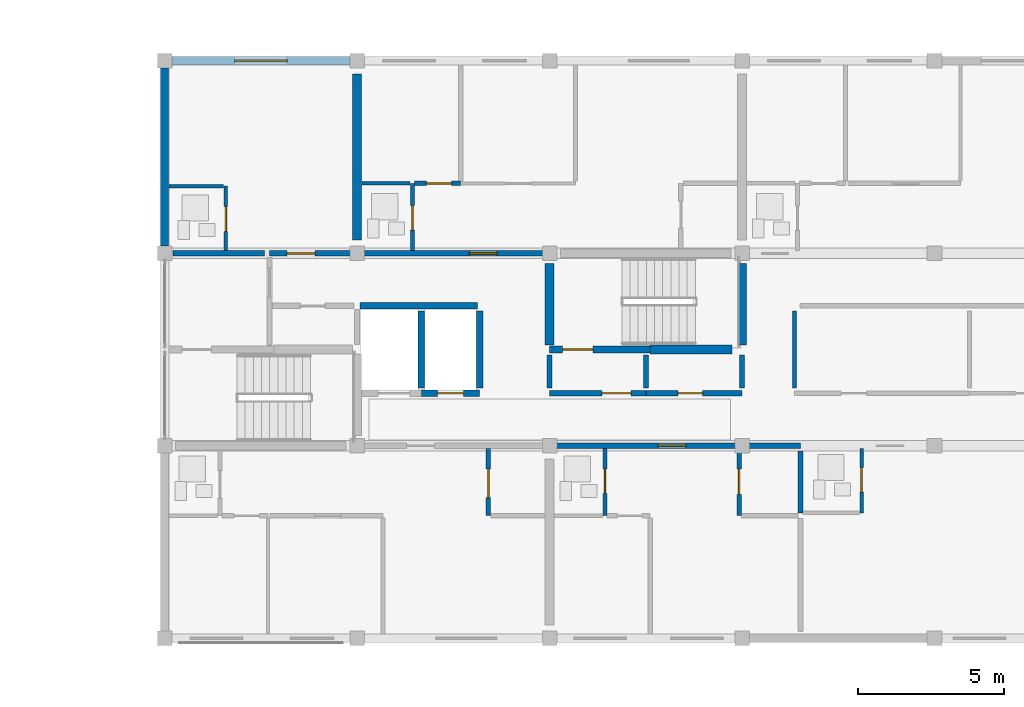
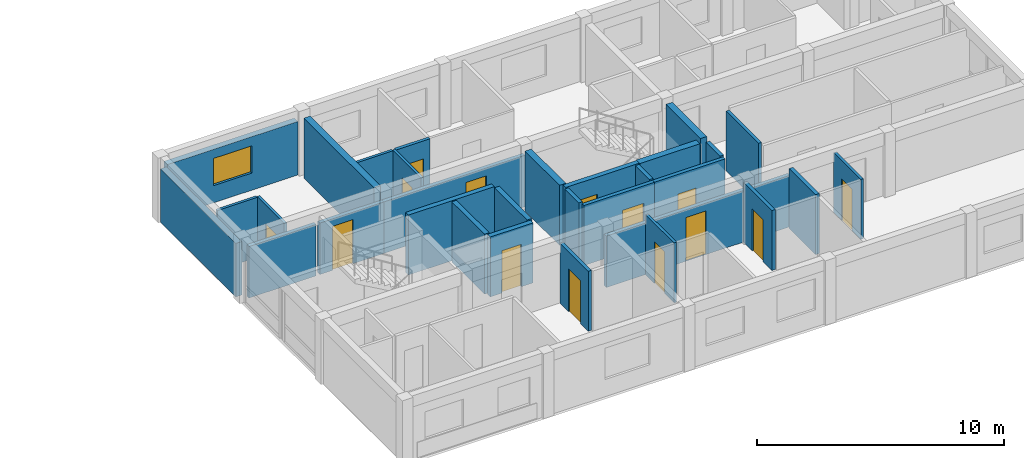
# One storey, part 35 of 46: 31 walls, 14 doors, 1 window, 15 openings.
"""IFC4 building model written with IfcOpenShell, lengths in metres."""

from ifc_helpers import new_model, si_unit, direction, frame, frame_2d, origin, place, context, subcontext, project, spatial, rectangle, extrude, material, layer, layer_set, type_object, element, fill, save


model = new_model("IFC4")

# Units and contexts
model_context = context("Model", 3, precision=1e-05, world=origin(), true_north=direction((0.0, 1.0)))
body_context = subcontext(model_context, "Body", "Model", "MODEL_VIEW")
ifc_project = project(units=[si_unit("LENGTHUNIT", "METRE"), si_unit("AREAUNIT", "SQUARE_METRE"), si_unit("VOLUMEUNIT", "CUBIC_METRE"), si_unit("PLANEANGLEUNIT", "RADIAN"), si_unit("MASSUNIT", "GRAM", prefix="KILO")], contexts=[model_context])

# Site, building, storey
site_placement = place(None, origin())
site = spatial("IfcSite", under=ifc_project, at=site_placement, CompositionType="ELEMENT")
building_placement = place(site_placement, origin())
building = spatial("IfcBuilding", under=site, at=building_placement, Name="Kernevlak Ridge Housing Community", CompositionType="ELEMENT")
storey_placement = place(building_placement, frame((0.0, 0.0, 27.60009765625)))
storey = spatial("IfcBuildingStorey", under=building, at=storey_placement, Name="L08", CompositionType="ELEMENT", Elevation=27.60009765625)

# Wall, opening, window
ifc_material_1 = material(Name="Concrete block masonry M10", Category="masonry")
ifc_layer_1 = layer(ifc_material_1, 0.280029296875, Name="Concrete block masonry M10")
ifc_layer_set_1 = layer_set([ifc_layer_1], Name="Concrete block masonry M10")
wall_type_1 = type_object("IfcWallType", Name="EW-03", PredefinedType="STANDARD", material=ifc_layer_set_1)
wall_1_placement = place(storey_placement, frame((119.64990234375, 102.39990234375, 0.0), z_axis=(0.0, 0.0, 1.0), x_axis=(1.0, 0.0, 0.0)))
wall_1 = element("IfcWall", 1, at=wall_1_placement, inside=storey, type_object=wall_type_1, Name="Exterior wall EW-03 L08 424", PredefinedType="STANDARD", context=body_context, shape_type="SweptSolid", body=[
    extrude(rectangle(XDim=6.10009765625, YDim=0.280029296875, at=frame_2d((3.050048828125, 0.0))), origin(), (0.0, 0.0, 1.0), 2.64990234375),
])
opening_1_placement = place(wall_1_placement, frame((2.14990234375, 0.0, 0.85009765625)))
opening_1 = element("IfcOpeningElement", 2, at=opening_1_placement, cuts=wall_1, Name="Opening WT-03", PredefinedType="OPENING", context=body_context, shape_type="SweptSolid", body=[
    extrude(rectangle(XDim=1.800048828125, YDim=1.35009765625, at=frame_2d((0.89990234375, 0.675048828125))), frame((0.0, 0.14990234375, 0.0), z_axis=(0.0, -1.0, 0.0), x_axis=(1.0, 0.0, 0.0)), (0.0, 0.0, 1.0), 0.300048828125),
])
ifc_material_2 = material(Name="Aluminium EN AW-6060 anodised and laminated glass", Category="aluminium")
window_type = type_object("IfcWindowType", Name="WT-03", PartitioningType="SINGLE_PANEL", PredefinedType="WINDOW", material=ifc_material_2)
window_placement = place(opening_1_placement, origin())
window = element("IfcWindow", 3, at=window_placement, inside=storey, type_object=window_type, Name="Window WT-03 L08 328", OverallHeight=1.35009765625, OverallWidth=1.800048828125, PartitioningType="SINGLE_PANEL", PredefinedType="WINDOW", context=body_context, shape_type="SweptSolid", body=[
    extrude(rectangle(XDim=1.800048828125, YDim=1.35009765625, at=frame_2d((0.89990234375, 0.675048828125))), frame((0.0, 0.030029296875, 0.0), z_axis=(0.0, -1.0, 0.0), x_axis=(1.0, 0.0, 0.0)), (0.0, 0.0, 1.0), 0.06005859375),
])
fill(opening_1, window)

# Wall
wall_2_placement = place(storey_placement, frame((119.39990234375, 96.050048828125, 0.0), z_axis=(0.0, 0.0, 1.0), x_axis=(0.0, 1.0, 0.0)))
element("IfcWall", 4, at=wall_2_placement, inside=storey, type_object=wall_type_1, Name="Exterior wall EW-03 L08 432", PredefinedType="STANDARD", context=body_context, shape_type="SweptSolid", body=[
    extrude(rectangle(XDim=6.099853515625, YDim=0.280029296875, at=frame_2d((3.0498046875, 0.0))), origin(), (0.0, 0.0, 1.0), 2.64990234375),
])

# Wall, opening, door
ifc_material_3 = material(Name="Concrete C35/45", Category="concrete")
ifc_layer_2 = layer(ifc_material_3, 0.22509765625, Name="Concrete C35/45")
ifc_layer_set_2 = layer_set([ifc_layer_2], Name="Concrete C35/45")
wall_type_2 = type_object("IfcWallType", Name="PW-01", PredefinedType="STANDARD", material=ifc_layer_set_2)
wall_3_placement = place(storey_placement, frame((128.199951171875, 91.0, 0.0), z_axis=(0.0, 0.0, 1.0), x_axis=(1.0, 0.0, 0.0)))
wall_3 = element("IfcWall", 5, at=wall_3_placement, inside=storey, type_object=wall_type_2, Name="Interior wall PW-01 WAL-INT-L08-1644", PredefinedType="STANDARD", context=body_context, shape_type="SweptSolid", body=[
    extrude(rectangle(XDim=2.0, YDim=0.22509765625, at=frame_2d((1.0, 0.0))), origin(), (0.0, 0.0, 1.0), 2.969970703125),
])
opening_2_placement = place(wall_3_placement, frame((0.550048828125, 0.0, 0.0)))
opening_2 = element("IfcOpeningElement", 6, at=opening_2_placement, cuts=wall_3, Name="Opening LD47", PredefinedType="OPENING", context=body_context, shape_type="SweptSolid", body=[
    extrude(rectangle(XDim=0.89990234375, YDim=2.10009765625, at=frame_2d((0.449951171875, 1.050048828125))), frame((0.0, 0.12255859375, 0.0), z_axis=(0.0, -1.0, 0.0), x_axis=(1.0, 0.0, 0.0)), (0.0, 0.0, 1.0), 0.2451171875),
])
ifc_material_4 = material(Name="Stainless steel EN 1.4401", Category="steel")
door_type_1 = type_object("IfcDoorType", Name="DT-LD2", OperationType="DOUBLE_DOOR_SLIDING", PredefinedType="DOOR", material=ifc_material_4)
door_1_placement = place(opening_2_placement, origin())
door_1 = element("IfcDoor", 7, at=door_1_placement, inside=storey, type_object=door_type_1, Name="Lift LF-B2 landing door LD47", OperationType="DOUBLE_DOOR_SLIDING", OverallHeight=2.10009765625, OverallWidth=0.89990234375, PredefinedType="DOOR", context=body_context, shape_type="SweptSolid", body=[
    extrude(rectangle(XDim=0.89990234375, YDim=2.10009765625, at=frame_2d((0.449951171875, 1.050048828125))), frame((0.0, 0.02490234375, 0.0), z_axis=(0.0, -1.0, 0.0), x_axis=(1.0, 0.0, 0.0)), (0.0, 0.0, 1.0), 0.050048828125),
])
fill(opening_2, door_1)

# Walls
wall_4_placement = place(storey_placement, frame((126.097412109375, 94.0, 0.0), z_axis=(0.0, 0.0, 1.0), x_axis=(1.0, 0.0, 0.0)))
element("IfcWall", 8, at=wall_4_placement, inside=storey, type_object=wall_type_2, Name="Interior wall PW-01 WAL-INT-L08-1645", PredefinedType="STANDARD", context=body_context, shape_type="SweptSolid", body=[
    extrude(rectangle(XDim=4.022705078125, YDim=0.22509765625, at=frame_2d((2.01123046875, 0.0))), origin(), (0.0, 0.0, 1.0), 2.969970703125),
])
for number, where, z_axis, x_axis, name in (
    (9, (128.199951171875, 91.179931640625, 0.0), (0.0, 0.0, 1.0), (0.0, 1.0, 0.0), "Interior wall PW-01 WAL-INT-L08-1647"),
    (10, (130.199951171875, 91.179931640625, 0.0), (0.0, 0.0, 1.0), (0.0, 1.0, 0.0), "Interior wall PW-01 WAL-INT-L08-1648"),
):
    element("IfcWall", number, at=place(storey_placement, frame(where, z_axis=z_axis, x_axis=x_axis)), inside=storey, type_object=wall_type_2, Name=name, PredefinedType="STANDARD", context=body_context, shape_type="SweptSolid", body=[
        extrude(rectangle(XDim=2.64013671875, YDim=0.22509765625, at=frame_2d((1.320068359375, 0.0))), origin(), (0.0, 0.0, 1.0), 2.969970703125),
    ])

# Wall, opening, door
wall_5_placement = place(storey_placement, frame((132.60009765625, 92.5, 0.0), z_axis=(0.0, 0.0, 1.0), x_axis=(1.0, 0.0, 0.0)))
wall_5 = element("IfcWall", 11, at=wall_5_placement, inside=storey, type_object=wall_type_2, Name="Interior wall PW-01 WAL-INT-L08-1649", PredefinedType="STANDARD", context=body_context, shape_type="SweptSolid", body=[
    extrude(rectangle(XDim=3.449951171875, YDim=0.22509765625, at=frame_2d((1.72509765625, 0.0))), origin(), (0.0, 0.0, 1.0), 2.969970703125),
])
opening_3_placement = place(wall_5_placement, frame((0.449951171875, 0.0, 0.0)))
opening_3 = element("IfcOpeningElement", 12, at=opening_3_placement, cuts=wall_5, Name="Opening D834", PredefinedType="OPENING", context=body_context, shape_type="SweptSolid", body=[
    extrude(rectangle(XDim=1.0400390625, YDim=2.1201171875, at=frame_2d((0.52001953125, 1.06005859375))), frame((0.0, 0.12255859375, 0.0), z_axis=(0.0, -1.0, 0.0), x_axis=(1.0, 0.0, 0.0)), (0.0, 0.0, 1.0), 0.2451171875),
])
ifc_material_5 = material(Name="Fire-rated sheet steel leaf", Category="steel")
door_type_2 = type_object("IfcDoorType", Name="DT-16", OperationType="NOTDEFINED", PredefinedType="DOOR", material=ifc_material_5)
door_2_placement = place(opening_3_placement, origin())
door_2 = element("IfcDoor", 13, at=door_2_placement, inside=storey, type_object=door_type_2, Name="Block B Stair 2 fire door D834", OperationType="SINGLE_SWING_RIGHT", OverallHeight=2.1201171875, OverallWidth=1.0400390625, PredefinedType="DOOR", context=body_context, shape_type="SweptSolid", body=[
    extrude(rectangle(XDim=1.0400390625, YDim=2.1201171875, at=frame_2d((0.52001953125, 1.06005859375))), frame((0.0, 0.02490234375, 0.0), z_axis=(0.0, -1.0, 0.0), x_axis=(1.0, 0.0, 0.0)), (0.0, 0.0, 1.0), 0.050048828125),
])
fill(opening_3, door_2)

ifc_layer_3 = layer(ifc_material_1, 0.175048828125, Name="Concrete block masonry M10")
ifc_layer_set_3 = layer_set([ifc_layer_3], Name="Concrete block masonry M10")
wall_type_3 = type_object("IfcWallType", Name="PW-02", PredefinedType="PARTITIONING", material=ifc_layer_set_3)
wall_6_placement = place(storey_placement, frame((132.60009765625, 91.0, 0.0), z_axis=(0.0, 0.0, 1.0), x_axis=(1.0, 0.0, 0.0)))
wall_6 = element("IfcWall", 14, at=wall_6_placement, inside=storey, type_object=wall_type_3, Name="Interior wall PW-02 WAL-INT-L08-1650", PredefinedType="PARTITIONING", context=body_context, shape_type="SweptSolid", body=[
    extrude(rectangle(XDim=3.2998046875, YDim=0.175048828125, at=frame_2d((1.64990234375, 0.0))), origin(), (0.0, 0.0, 1.0), 2.969970703125),
])
opening_4_placement = place(wall_6_placement, frame((1.800048828125, 0.0, 0.0)))
opening_4 = element("IfcOpeningElement", 15, at=opening_4_placement, cuts=wall_6, Name="Opening D835", PredefinedType="OPENING", context=body_context, shape_type="SweptSolid", body=[
    extrude(rectangle(XDim=1.0, YDim=2.10009765625, at=frame_2d((0.5, 1.050048828125))), frame((0.0, 0.097412109375, 0.0), z_axis=(0.0, -1.0, 0.0), x_axis=(1.0, 0.0, 0.0)), (0.0, 0.0, 1.0), 0.195068359375),
])
door_type_3 = type_object("IfcDoorType", Name="DT-05", OperationType="NOTDEFINED", PredefinedType="DOOR", material=ifc_material_5)
door_3_placement = place(opening_4_placement, origin())
door_3 = element("IfcDoor", 16, at=door_3_placement, inside=storey, type_object=door_type_3, Name="Block B Firefighting lobby 2 door D835", OperationType="SINGLE_SWING_LEFT", OverallHeight=2.10009765625, OverallWidth=1.0, PredefinedType="DOOR", context=body_context, shape_type="SweptSolid", body=[
    extrude(rectangle(XDim=1.0, YDim=2.10009765625, at=frame_2d((0.5, 1.050048828125))), frame((0.0, 0.02490234375, 0.0), z_axis=(0.0, -1.0, 0.0), x_axis=(1.0, 0.0, 0.0)), (0.0, 0.0, 1.0), 0.050048828125),
])
fill(opening_4, door_3)

wall_7_placement = place(storey_placement, frame((135.89990234375, 91.0, 0.0), z_axis=(0.0, 0.0, 1.0), x_axis=(1.0, 0.0, 0.0)))
wall_7 = element("IfcWall", 17, at=wall_7_placement, inside=storey, type_object=wall_type_3, Name="Interior wall PW-02 WAL-INT-L08-1651", PredefinedType="PARTITIONING", context=body_context, shape_type="SweptSolid", body=[
    extrude(rectangle(XDim=3.300048828125, YDim=0.175048828125, at=frame_2d((1.64990234375, 0.0))), origin(), (0.0, 0.0, 1.0), 2.969970703125),
])
opening_5_placement = place(wall_7_placement, frame((1.10009765625, 0.0, 0.0)))
opening_5 = element("IfcOpeningElement", 18, at=opening_5_placement, cuts=wall_7, Name="Opening D836", PredefinedType="OPENING", context=body_context, shape_type="SweptSolid", body=[
    extrude(rectangle(XDim=0.85009765625, YDim=2.0, at=frame_2d((0.425048828125, 1.0))), frame((0.0, 0.097412109375, 0.0), z_axis=(0.0, -1.0, 0.0), x_axis=(1.0, 0.0, 0.0)), (0.0, 0.0, 1.0), 0.195068359375),
])
door_type_4 = type_object("IfcDoorType", Name="DT-07", OperationType="NOTDEFINED", PredefinedType="DOOR", material=ifc_material_5)
door_4_placement = place(opening_5_placement, origin())
door_4 = element("IfcDoor", 19, at=door_4_placement, inside=storey, type_object=door_type_4, Name="Block B Cleaner store door D836", OperationType="SINGLE_SWING_RIGHT", OverallHeight=2.0, OverallWidth=0.85009765625, PredefinedType="DOOR", context=body_context, shape_type="SweptSolid", body=[
    extrude(rectangle(XDim=0.85009765625, YDim=2.0, at=frame_2d((0.425048828125, 1.0))), frame((0.0, 0.02490234375, 0.0), z_axis=(0.0, -1.0, 0.0), x_axis=(1.0, 0.0, 0.0)), (0.0, 0.0, 1.0), 0.050048828125),
])
fill(opening_5, door_4)

# Walls
for number, where, z_axis, x_axis, name in (
    (20, (132.60009765625, 91.179931640625, 0.0), (0.0, 0.0, 1.0), (0.0, 1.0, 0.0), "Interior wall PW-02 WAL-INT-L08-1652"),
    (21, (135.89990234375, 91.179931640625, 0.0), (0.0, 0.0, 1.0), (0.0, 1.0, 0.0), "Interior wall PW-02 WAL-INT-L08-1653"),
    (22, (139.199951171875, 91.179931640625, 0.0), (0.0, 0.0, 1.0), (0.0, 1.0, 0.0), "Interior wall PW-02 WAL-INT-L08-1654"),
):
    element("IfcWall", number, at=place(storey_placement, frame(where, z_axis=z_axis, x_axis=x_axis)), inside=storey, type_object=wall_type_3, Name=name, PredefinedType="PARTITIONING", context=body_context, shape_type="SweptSolid", body=[
        extrude(rectangle(XDim=1.14013671875, YDim=0.175048828125, at=frame_2d((0.570068359375, 0.0))), origin(), (0.0, 0.0, 1.0), 2.969970703125),
    ])

# Wall, opening, door
wall_8_placement = place(storey_placement, frame((132.60009765625, 89.199951171875, 0.0), z_axis=(0.0, 0.0, 1.0), x_axis=(1.0, 0.0, 0.0)))
wall_8 = element("IfcWall", 23, at=wall_8_placement, inside=storey, type_object=wall_type_3, Name="Interior wall PW-02 WAL-INT-L08-1669", PredefinedType="PARTITIONING", context=body_context, shape_type="SweptSolid", body=[
    extrude(rectangle(XDim=8.599853515625, YDim=0.175048828125, at=frame_2d((4.2998046875, 0.0))), origin(), (0.0, 0.0, 1.0), 2.5498046875),
])
opening_6_placement = place(wall_8_placement, frame((3.72509765625, 0.0, 0.0)))
opening_6 = element("IfcOpeningElement", 24, at=opening_6_placement, cuts=wall_8, Name="Opening D844", PredefinedType="OPENING", context=body_context, shape_type="SweptSolid", body=[
    extrude(rectangle(XDim=0.949951171875, YDim=2.159912109375, at=frame_2d((0.47509765625, 1.080078125))), frame((0.0, 0.097412109375, 0.0), z_axis=(0.0, -1.0, 0.0), x_axis=(1.0, 0.0, 0.0)), (0.0, 0.0, 1.0), 0.195068359375),
])
ifc_material_6 = material(Name="Hardwood timber solid-core fire leaf", Category="wood")
door_type_5 = type_object("IfcDoorType", Name="DT-02", OperationType="NOTDEFINED", PredefinedType="DOOR", material=ifc_material_6)
door_5_placement = place(opening_6_placement, origin())
door_5 = element("IfcDoor", 25, at=door_5_placement, inside=storey, type_object=door_type_5, Name="Flat B0812 entrance fire door D844", OperationType="SINGLE_SWING_RIGHT", OverallHeight=2.159912109375, OverallWidth=0.949951171875, PredefinedType="DOOR", context=body_context, shape_type="SweptSolid", body=[
    extrude(rectangle(XDim=0.949951171875, YDim=2.159912109375, at=frame_2d((0.47509765625, 1.080078125))), frame((0.0, 0.02490234375, 0.0), z_axis=(0.0, -1.0, 0.0), x_axis=(1.0, 0.0, 0.0)), (0.0, 0.0, 1.0), 0.050048828125),
])
fill(opening_6, door_5)

# Walls
wall_9_placement = place(storey_placement, frame((141.199951171875, 89.02001953125, 0.0), z_axis=(0.0, 0.0, 1.0), x_axis=(0.0, -1.0, 0.0)))
element("IfcWall", 26, at=wall_9_placement, inside=storey, type_object=wall_type_3, Name="Interior wall PW-02 WAL-INT-L08-1676", PredefinedType="PARTITIONING", context=body_context, shape_type="SweptSolid", body=[
    extrude(rectangle(XDim=2.132568359375, YDim=0.175048828125, at=frame_2d((1.06640625, 0.0))), origin(), (0.0, 0.0, 1.0), 2.969970703125),
])
wall_10_placement = place(storey_placement, frame((119.679931640625, 95.800048828125, 0.0), z_axis=(0.0, 0.0, 1.0), x_axis=(1.0, 0.0, 0.0)))
element("IfcWall", 27, at=wall_10_placement, inside=storey, type_object=wall_type_3, Name="Interior wall PW-02 WAL-INT-L08-1680", PredefinedType="PARTITIONING", context=body_context, shape_type="SweptSolid", body=[
    extrude(rectangle(XDim=3.14013671875, YDim=0.175048828125, at=frame_2d((1.570068359375, 0.0))), origin(), (0.0, 0.0, 1.0), 2.5498046875),
])

# Wall, opening, door
wall_11_placement = place(storey_placement, frame((123.0, 95.800048828125, 0.0), z_axis=(0.0, 0.0, 1.0), x_axis=(1.0, 0.0, 0.0)))
wall_11 = element("IfcWall", 28, at=wall_11_placement, inside=storey, type_object=wall_type_3, Name="Interior wall PW-02 WAL-INT-L08-1681", PredefinedType="PARTITIONING", context=body_context, shape_type="SweptSolid", body=[
    extrude(rectangle(XDim=3.0, YDim=0.175048828125, at=frame_2d((1.5, 0.0))), origin(), (0.0, 0.0, 1.0), 2.5498046875),
])
opening_7_placement = place(wall_11_placement, frame((0.60009765625, 0.0, 0.0)))
opening_7 = element("IfcOpeningElement", 29, at=opening_7_placement, cuts=wall_11, Name="Opening D850", PredefinedType="OPENING", context=body_context, shape_type="SweptSolid", body=[
    extrude(rectangle(XDim=0.9599609375, YDim=2.179931640625, at=frame_2d((0.47998046875, 1.08984375))), frame((0.0, 0.097412109375, 0.0), z_axis=(0.0, -1.0, 0.0), x_axis=(1.0, 0.0, 0.0)), (0.0, 0.0, 1.0), 0.195068359375),
])
door_type_6 = type_object("IfcDoorType", Name="DT-29", OperationType="NOTDEFINED", PredefinedType="DOOR", material=ifc_material_6)
door_6_placement = place(opening_7_placement, origin())
door_6 = element("IfcDoor", 30, at=door_6_placement, inside=storey, type_object=door_type_6, Name="Flat B0821 entrance fire door D850", OperationType="SINGLE_SWING_RIGHT", OverallHeight=2.179931640625, OverallWidth=0.9599609375, PredefinedType="DOOR", context=body_context, shape_type="SweptSolid", body=[
    extrude(rectangle(XDim=0.9599609375, YDim=2.179931640625, at=frame_2d((0.47998046875, 1.08984375))), frame((0.0, 0.02490234375, 0.0), z_axis=(0.0, -1.0, 0.0), x_axis=(1.0, 0.0, 0.0)), (0.0, 0.0, 1.0), 0.050048828125),
])
fill(opening_7, door_6)

wall_12_placement = place(storey_placement, frame((126.0, 95.800048828125, 0.0), z_axis=(0.0, 0.0, 1.0), x_axis=(1.0, 0.0, 0.0)))
wall_12 = element("IfcWall", 31, at=wall_12_placement, inside=storey, type_object=wall_type_3, Name="Interior wall PW-02 WAL-INT-L08-1684", PredefinedType="PARTITIONING", context=body_context, shape_type="SweptSolid", body=[
    extrude(rectangle(XDim=6.60009765625, YDim=0.175048828125, at=frame_2d((3.300048828125, 0.0))), origin(), (0.0, 0.0, 1.0), 2.5498046875),
])
opening_8_placement = place(wall_12_placement, frame((3.85009765625, 0.0, 0.0)))
opening_8 = element("IfcOpeningElement", 32, at=opening_8_placement, cuts=wall_12, Name="Opening D852", PredefinedType="OPENING", context=body_context, shape_type="SweptSolid", body=[
    extrude(rectangle(XDim=0.949951171875, YDim=2.159912109375, at=frame_2d((0.47509765625, 1.080078125))), frame((0.0, 0.097412109375, 0.0), z_axis=(0.0, -1.0, 0.0), x_axis=(1.0, 0.0, 0.0)), (0.0, 0.0, 1.0), 0.195068359375),
])
door_7_placement = place(opening_8_placement, origin())
door_7 = element("IfcDoor", 33, at=door_7_placement, inside=storey, type_object=door_type_5, Name="Flat B0822 entrance fire door D852", OperationType="SINGLE_SWING_RIGHT", OverallHeight=2.159912109375, OverallWidth=0.949951171875, PredefinedType="DOOR", context=body_context, shape_type="SweptSolid", body=[
    extrude(rectangle(XDim=0.949951171875, YDim=2.159912109375, at=frame_2d((0.47509765625, 1.080078125))), frame((0.0, 0.02490234375, 0.0), z_axis=(0.0, -1.0, 0.0), x_axis=(1.0, 0.0, 0.0)), (0.0, 0.0, 1.0), 0.050048828125),
])
fill(opening_8, door_7)

# Wall
ifc_layer_4 = layer(ifc_material_1, 0.14501953125, Name="Concrete block masonry M10")
ifc_layer_set_4 = layer_set([ifc_layer_4], Name="Concrete block masonry M10")
wall_type_4 = type_object("IfcWallType", Name="PW-03", PredefinedType="PARTITIONING", material=ifc_layer_set_4)
wall_13_placement = place(storey_placement, frame((141.0, 91.179931640625, 0.0), z_axis=(0.0, 0.0, 1.0), x_axis=(0.0, 1.0, 0.0)))
element("IfcWall", 34, at=wall_13_placement, inside=storey, type_object=wall_type_4, Name="Interior wall PW-03 WAL-INT-L08-1659", PredefinedType="PARTITIONING", context=body_context, shape_type="SweptSolid", body=[
    extrude(rectangle(XDim=2.64013671875, YDim=0.14501953125, at=frame_2d((1.320068359375, 0.0))), origin(), (0.0, 0.0, 1.0), 2.969970703125),
])

# Wall, opening, door
wall_14_placement = place(storey_placement, frame((127.972412109375, 98.199951171875, 0.0), z_axis=(0.0, 0.0, 1.0), x_axis=(1.0, 0.0, 0.0)))
wall_14 = element("IfcWall", 35, at=wall_14_placement, inside=storey, type_object=wall_type_4, Name="Interior wall PW-03 WAL-INT-L08-1689", PredefinedType="PARTITIONING", context=body_context, shape_type="SweptSolid", body=[
    extrude(rectangle(XDim=1.57763671875, YDim=0.14501953125, at=frame_2d((0.788818359375, 0.0))), origin(), (0.0, 0.0, 1.0), 2.969970703125),
])
opening_9_placement = place(wall_14_placement, frame((0.39990234375, 0.0, 0.0)))
opening_9 = element("IfcOpeningElement", 36, at=opening_9_placement, cuts=wall_14, Name="Opening D855", PredefinedType="OPENING", context=body_context, shape_type="SweptSolid", body=[
    extrude(rectangle(XDim=0.8701171875, YDim=2.080078125, at=frame_2d((0.43505859375, 1.0400390625))), frame((0.0, 0.08251953125, 0.0), z_axis=(0.0, -1.0, 0.0), x_axis=(1.0, 0.0, 0.0)), (0.0, 0.0, 1.0), 0.1650390625),
])
ifc_material_7 = material(Name="Hardwood timber leaf", Category="wood")
door_type_7 = type_object("IfcDoorType", Name="DT-32", OperationType="NOTDEFINED", PredefinedType="DOOR", material=ifc_material_7)
door_8_placement = place(opening_9_placement, origin())
door_8 = element("IfcDoor", 37, at=door_8_placement, inside=storey, type_object=door_type_7, Name="Flat B0822 bedroom door D855", OperationType="SINGLE_SWING_LEFT", OverallHeight=2.080078125, OverallWidth=0.8701171875, PredefinedType="DOOR", context=body_context, shape_type="SweptSolid", body=[
    extrude(rectangle(XDim=0.8701171875, YDim=2.080078125, at=frame_2d((0.43505859375, 1.0400390625))), frame((0.0, 0.02490234375, 0.0), z_axis=(0.0, -1.0, 0.0), x_axis=(1.0, 0.0, 0.0)), (0.0, 0.0, 1.0), 0.050048828125),
])
fill(opening_9, door_8)

ifc_material_8 = material(Name="Gypsum plasterboard EN 520", Category="gypsum")
ifc_layer_5 = layer(ifc_material_8, 0.125, Name="Gypsum plasterboard EN 520")
ifc_layer_set_5 = layer_set([ifc_layer_5], Name="Gypsum plasterboard EN 520")
wall_type_5 = type_object("IfcWallType", Name="PW-04", PredefinedType="PARTITIONING", material=ifc_layer_set_5)
wall_15_placement = place(storey_placement, frame((134.5, 89.1025390625, 0.0), z_axis=(0.0, 0.0, 1.0), x_axis=(0.0, -1.0, 0.0)))
wall_15 = element("IfcWall", 38, at=wall_15_placement, inside=storey, type_object=wall_type_5, Name="Interior wall PW-04 WAL-INT-L08-1670", PredefinedType="PARTITIONING", context=body_context, shape_type="SweptSolid", body=[
    extrude(rectangle(XDim=2.302490234375, YDim=0.125, at=frame_2d((1.1513671875, 0.0))), origin(), (0.0, 0.0, 1.0), 2.969970703125),
])
opening_10_placement = place(wall_15_placement, frame((0.699951171875, 0.0, 0.0)))
opening_10 = element("IfcOpeningElement", 39, at=opening_10_placement, cuts=wall_15, Name="Opening D845", PredefinedType="OPENING", context=body_context, shape_type="SweptSolid", body=[
    extrude(rectangle(XDim=0.840087890625, YDim=2.06005859375, at=frame_2d((0.419921875, 1.030029296875))), frame((0.0, 0.072509765625, 0.0), z_axis=(0.0, -1.0, 0.0), x_axis=(1.0, 0.0, 0.0)), (0.0, 0.0, 1.0), 0.14501953125),
])
ifc_material_9 = material(Name="Hardwood timber moisture-resistant leaf", Category="wood")
door_type_8 = type_object("IfcDoorType", Name="DT-27", OperationType="NOTDEFINED", PredefinedType="DOOR", material=ifc_material_9)
door_9_placement = place(opening_10_placement, origin())
door_9 = element("IfcDoor", 40, at=door_9_placement, inside=storey, type_object=door_type_8, Name="Flat B0812 bathroom door D845", OperationType="SINGLE_SWING_LEFT", OverallHeight=2.06005859375, OverallWidth=0.840087890625, PredefinedType="DOOR", context=body_context, shape_type="SweptSolid", body=[
    extrude(rectangle(XDim=0.840087890625, YDim=2.06005859375, at=frame_2d((0.419921875, 1.030029296875))), frame((0.0, 0.02490234375, 0.0), z_axis=(0.0, -1.0, 0.0), x_axis=(1.0, 0.0, 0.0)), (0.0, 0.0, 1.0), 0.050048828125),
])
fill(opening_10, door_9)

wall_16_placement = place(storey_placement, frame((143.300048828125, 89.1025390625, 0.0), z_axis=(0.0, 0.0, 1.0), x_axis=(0.0, -1.0, 0.0)))
wall_16 = element("IfcWall", 41, at=wall_16_placement, inside=storey, type_object=wall_type_5, Name="Interior wall PW-04 WAL-INT-L08-1678", PredefinedType="PARTITIONING", context=body_context, shape_type="SweptSolid", body=[
    extrude(rectangle(XDim=2.20263671875, YDim=0.125, at=frame_2d((1.101318359375, 0.0))), origin(), (0.0, 0.0, 1.0), 2.969970703125),
])
opening_11_placement = place(wall_16_placement, frame((0.64990234375, 0.0, 0.0)))
opening_11 = element("IfcOpeningElement", 42, at=opening_11_placement, cuts=wall_16, Name="Opening D849", PredefinedType="OPENING", context=body_context, shape_type="SweptSolid", body=[
    extrude(rectangle(XDim=0.840087890625, YDim=2.06005859375, at=frame_2d((0.419921875, 1.030029296875))), frame((0.0, 0.072509765625, 0.0), z_axis=(0.0, -1.0, 0.0), x_axis=(1.0, 0.0, 0.0)), (0.0, 0.0, 1.0), 0.14501953125),
])
door_10_placement = place(opening_11_placement, origin())
door_10 = element("IfcDoor", 43, at=door_10_placement, inside=storey, type_object=door_type_8, Name="Flat B0813 bathroom door D849", OperationType="SINGLE_SWING_LEFT", OverallHeight=2.06005859375, OverallWidth=0.840087890625, PredefinedType="DOOR", context=body_context, shape_type="SweptSolid", body=[
    extrude(rectangle(XDim=0.840087890625, YDim=2.06005859375, at=frame_2d((0.419921875, 1.030029296875))), frame((0.0, 0.02490234375, 0.0), z_axis=(0.0, -1.0, 0.0), x_axis=(1.0, 0.0, 0.0)), (0.0, 0.0, 1.0), 0.050048828125),
])
fill(opening_11, door_10)

wall_17_placement = place(storey_placement, frame((121.5, 95.8974609375, 0.0), z_axis=(0.0, 0.0, 1.0), x_axis=(0.0, 1.0, 0.0)))
wall_17 = element("IfcWall", 44, at=wall_17_placement, inside=storey, type_object=wall_type_5, Name="Interior wall PW-04 WAL-INT-L08-1682", PredefinedType="PARTITIONING", context=body_context, shape_type="SweptSolid", body=[
    extrude(rectangle(XDim=2.20263671875, YDim=0.125, at=frame_2d((1.101318359375, 0.0))), origin(), (0.0, 0.0, 1.0), 2.969970703125),
])
opening_12_placement = place(wall_17_placement, frame((0.64990234375, 0.0, 0.0)))
opening_12 = element("IfcOpeningElement", 45, at=opening_12_placement, cuts=wall_17, Name="Opening D851", PredefinedType="OPENING", context=body_context, shape_type="SweptSolid", body=[
    extrude(rectangle(XDim=0.85009765625, YDim=2.0400390625, at=frame_2d((0.425048828125, 1.02001953125))), frame((0.0, 0.072509765625, 0.0), z_axis=(0.0, -1.0, 0.0), x_axis=(1.0, 0.0, 0.0)), (0.0, 0.0, 1.0), 0.14501953125),
])
door_type_9 = type_object("IfcDoorType", Name="DT-04", OperationType="NOTDEFINED", PredefinedType="DOOR", material=ifc_material_9)
door_11_placement = place(opening_12_placement, origin())
door_11 = element("IfcDoor", 46, at=door_11_placement, inside=storey, type_object=door_type_9, Name="Flat B0821 bathroom door D851", OperationType="SINGLE_SWING_LEFT", OverallHeight=2.0400390625, OverallWidth=0.85009765625, PredefinedType="DOOR", context=body_context, shape_type="SweptSolid", body=[
    extrude(rectangle(XDim=0.85009765625, YDim=2.0400390625, at=frame_2d((0.425048828125, 1.02001953125))), frame((0.0, 0.02490234375, 0.0), z_axis=(0.0, -1.0, 0.0), x_axis=(1.0, 0.0, 0.0)), (0.0, 0.0, 1.0), 0.050048828125),
])
fill(opening_12, door_11)

# Wall
wall_18_placement = place(storey_placement, frame((119.550048828125, 98.10009765625, 0.0), z_axis=(0.0, 0.0, 1.0), x_axis=(1.0, 0.0, 0.0)))
element("IfcWall", 47, at=wall_18_placement, inside=storey, type_object=wall_type_5, Name="Interior wall PW-04 WAL-INT-L08-1683", PredefinedType="PARTITIONING", context=body_context, shape_type="SweptSolid", body=[
    extrude(rectangle(XDim=1.869873046875, YDim=0.125, at=frame_2d((0.93505859375, 0.0))), origin(), (0.0, 0.0, 1.0), 2.969970703125),
])

# Wall, opening, door
wall_19_placement = place(storey_placement, frame((127.89990234375, 95.8974609375, 0.0), z_axis=(0.0, 0.0, 1.0), x_axis=(0.0, 1.0, 0.0)))
wall_19 = element("IfcWall", 48, at=wall_19_placement, inside=storey, type_object=wall_type_5, Name="Interior wall PW-04 WAL-INT-L08-1685", PredefinedType="PARTITIONING", context=body_context, shape_type="SweptSolid", body=[
    extrude(rectangle(XDim=2.302490234375, YDim=0.125, at=frame_2d((1.1513671875, 0.0))), origin(), (0.0, 0.0, 1.0), 2.969970703125),
])
opening_13_placement = place(wall_19_placement, frame((0.699951171875, 0.0, 0.0)))
opening_13 = element("IfcOpeningElement", 49, at=opening_13_placement, cuts=wall_19, Name="Opening D853", PredefinedType="OPENING", context=body_context, shape_type="SweptSolid", body=[
    extrude(rectangle(XDim=0.840087890625, YDim=2.06005859375, at=frame_2d((0.419921875, 1.030029296875))), frame((0.0, 0.072509765625, 0.0), z_axis=(0.0, -1.0, 0.0), x_axis=(1.0, 0.0, 0.0)), (0.0, 0.0, 1.0), 0.14501953125),
])
door_12_placement = place(opening_13_placement, origin())
door_12 = element("IfcDoor", 50, at=door_12_placement, inside=storey, type_object=door_type_8, Name="Flat B0822 bathroom door D853", OperationType="SINGLE_SWING_LEFT", OverallHeight=2.06005859375, OverallWidth=0.840087890625, PredefinedType="DOOR", context=body_context, shape_type="SweptSolid", body=[
    extrude(rectangle(XDim=0.840087890625, YDim=2.06005859375, at=frame_2d((0.419921875, 1.030029296875))), frame((0.0, 0.02490234375, 0.0), z_axis=(0.0, -1.0, 0.0), x_axis=(1.0, 0.0, 0.0)), (0.0, 0.0, 1.0), 0.050048828125),
])
fill(opening_13, door_12)

# Wall
wall_20_placement = place(storey_placement, frame((126.159912109375, 98.199951171875, 0.0), z_axis=(0.0, 0.0, 1.0), x_axis=(1.0, 0.0, 0.0)))
element("IfcWall", 51, at=wall_20_placement, inside=storey, type_object=wall_type_5, Name="Interior wall PW-04 WAL-INT-L08-1686", PredefinedType="PARTITIONING", context=body_context, shape_type="SweptSolid", body=[
    extrude(rectangle(XDim=1.66015625, YDim=0.125, at=frame_2d((0.830078125, 0.0))), origin(), (0.0, 0.0, 1.0), 2.969970703125),
])

# Wall, opening, door
ifc_layer_6 = layer(ifc_material_8, 0.155029296875, Name="Gypsum plasterboard EN 520")
ifc_layer_set_6 = layer_set([ifc_layer_6], Name="Gypsum plasterboard EN 520")
wall_type_6 = type_object("IfcWallType", Name="PW-05", PredefinedType="PARTITIONING", material=ifc_layer_set_6)
wall_21_placement = place(storey_placement, frame((130.5, 89.1025390625, 0.0), z_axis=(0.0, 0.0, 1.0), x_axis=(0.0, -1.0, 0.0)))
wall_21 = element("IfcWall", 52, at=wall_21_placement, inside=storey, type_object=wall_type_6, Name="Interior wall PW-05 WAL-INT-L08-1663", PredefinedType="PARTITIONING", context=body_context, shape_type="SweptSolid", body=[
    extrude(rectangle(XDim=2.302490234375, YDim=0.155029296875, at=frame_2d((1.1513671875, 0.0))), origin(), (0.0, 0.0, 1.0), 2.969970703125),
])
opening_14_placement = place(wall_21_placement, frame((0.699951171875, 0.0, 0.0)))
opening_14 = element("IfcOpeningElement", 53, at=opening_14_placement, cuts=wall_21, Name="Opening D841", PredefinedType="OPENING", context=body_context, shape_type="SweptSolid", body=[
    extrude(rectangle(XDim=0.97998046875, YDim=2.1201171875, at=frame_2d((0.489990234375, 1.06005859375))), frame((0.0, 0.08740234375, 0.0), z_axis=(0.0, -1.0, 0.0), x_axis=(1.0, 0.0, 0.0)), (0.0, 0.0, 1.0), 0.175048828125),
])
door_type_10 = type_object("IfcDoorType", Name="DT-24", OperationType="NOTDEFINED", PredefinedType="DOOR", material=ifc_material_7)
door_13_placement = place(opening_14_placement, origin())
door_13 = element("IfcDoor", 54, at=door_13_placement, inside=storey, type_object=door_type_10, Name="Flat B0811 kitchen door D841", OperationType="SINGLE_SWING_LEFT", OverallHeight=2.1201171875, OverallWidth=0.97998046875, PredefinedType="DOOR", context=body_context, shape_type="SweptSolid", body=[
    extrude(rectangle(XDim=0.97998046875, YDim=2.1201171875, at=frame_2d((0.489990234375, 1.06005859375))), frame((0.0, 0.02490234375, 0.0), z_axis=(0.0, -1.0, 0.0), x_axis=(1.0, 0.0, 0.0)), (0.0, 0.0, 1.0), 0.050048828125),
])
fill(opening_14, door_13)

wall_22_placement = place(storey_placement, frame((139.10009765625, 89.1025390625, 0.0), z_axis=(0.0, 0.0, 1.0), x_axis=(0.0, -1.0, 0.0)))
wall_22 = element("IfcWall", 55, at=wall_22_placement, inside=storey, type_object=wall_type_6, Name="Interior wall PW-05 WAL-INT-L08-1672", PredefinedType="PARTITIONING", context=body_context, shape_type="SweptSolid", body=[
    extrude(rectangle(XDim=2.302490234375, YDim=0.155029296875, at=frame_2d((1.1513671875, 0.0))), origin(), (0.0, 0.0, 1.0), 2.969970703125),
])
opening_15_placement = place(wall_22_placement, frame((0.699951171875, 0.0, 0.0)))
opening_15 = element("IfcOpeningElement", 56, at=opening_15_placement, cuts=wall_22, Name="Opening D846", PredefinedType="OPENING", context=body_context, shape_type="SweptSolid", body=[
    extrude(rectangle(XDim=0.8701171875, YDim=2.080078125, at=frame_2d((0.43505859375, 1.0400390625))), frame((0.0, 0.08740234375, 0.0), z_axis=(0.0, -1.0, 0.0), x_axis=(1.0, 0.0, 0.0)), (0.0, 0.0, 1.0), 0.175048828125),
])
door_14_placement = place(opening_15_placement, origin())
door_14 = element("IfcDoor", 57, at=door_14_placement, inside=storey, type_object=door_type_7, Name="Flat B0812 kitchen door D846", OperationType="SINGLE_SWING_RIGHT", OverallHeight=2.080078125, OverallWidth=0.8701171875, PredefinedType="DOOR", context=body_context, shape_type="SweptSolid", body=[
    extrude(rectangle(XDim=0.8701171875, YDim=2.080078125, at=frame_2d((0.43505859375, 1.0400390625))), frame((0.0, 0.02490234375, 0.0), z_axis=(0.0, -1.0, 0.0), x_axis=(1.0, 0.0, 0.0)), (0.0, 0.0, 1.0), 0.050048828125),
])
fill(opening_15, door_14)

# Walls
ifc_material_10 = material(Name="Concrete C40/50", Category="concrete")
ifc_layer_7 = layer(ifc_material_10, 0.300048828125, Name="Concrete C40/50")
ifc_layer_set_7 = layer_set([ifc_layer_7], Name="Concrete C40/50")
wall_type_7 = type_object("IfcWallType", Name="SW-02", PredefinedType="SHEAR", material=ifc_layer_set_7)
for number, where, z_axis, x_axis, name in (
    (58, (136.050048828125, 92.5, 0.0), (0.0, 0.0, 1.0), (1.0, 0.0, 0.0), "Shear wall SW-02 Block B L08 295"),
    (59, (132.60009765625, 92.64990234375, 0.0), (0.0, 0.0, 1.0), (0.0, 1.0, 0.0), "Shear wall SW-02 Block B L08 296"),
    (60, (139.199951171875, 92.64990234375, 0.0), (0.0, 0.0, 1.0), (0.0, 1.0, 0.0), "Shear wall SW-02 Block B L08 297"),
):
    element("IfcWall", number, at=place(storey_placement, frame(where, z_axis=z_axis, x_axis=x_axis)), inside=storey, type_object=wall_type_7, Name=name, PredefinedType="SHEAR", context=body_context, shape_type="SweptSolid", body=[
        extrude(rectangle(XDim=2.800048828125, YDim=0.300048828125, at=frame_2d((1.39990234375, 0.0))), origin(), (0.0, 0.0, 1.0), 2.969970703125),
    ])
wall_23_placement = place(storey_placement, frame((126.0, 96.25, 0.0), z_axis=(0.0, 0.0, 1.0), x_axis=(0.0, 1.0, 0.0)))
element("IfcWall", 61, at=wall_23_placement, inside=storey, type_object=wall_type_7, Name="Shear wall SW-02 Block B L08 299", PredefinedType="SHEAR", context=body_context, shape_type="SweptSolid", body=[
    extrude(rectangle(XDim=5.699951171875, YDim=0.300048828125, at=frame_2d((2.85009765625, 0.0))), origin(), (0.0, 0.0, 1.0), 2.969970703125),
])

save(model, "model.ifc")
